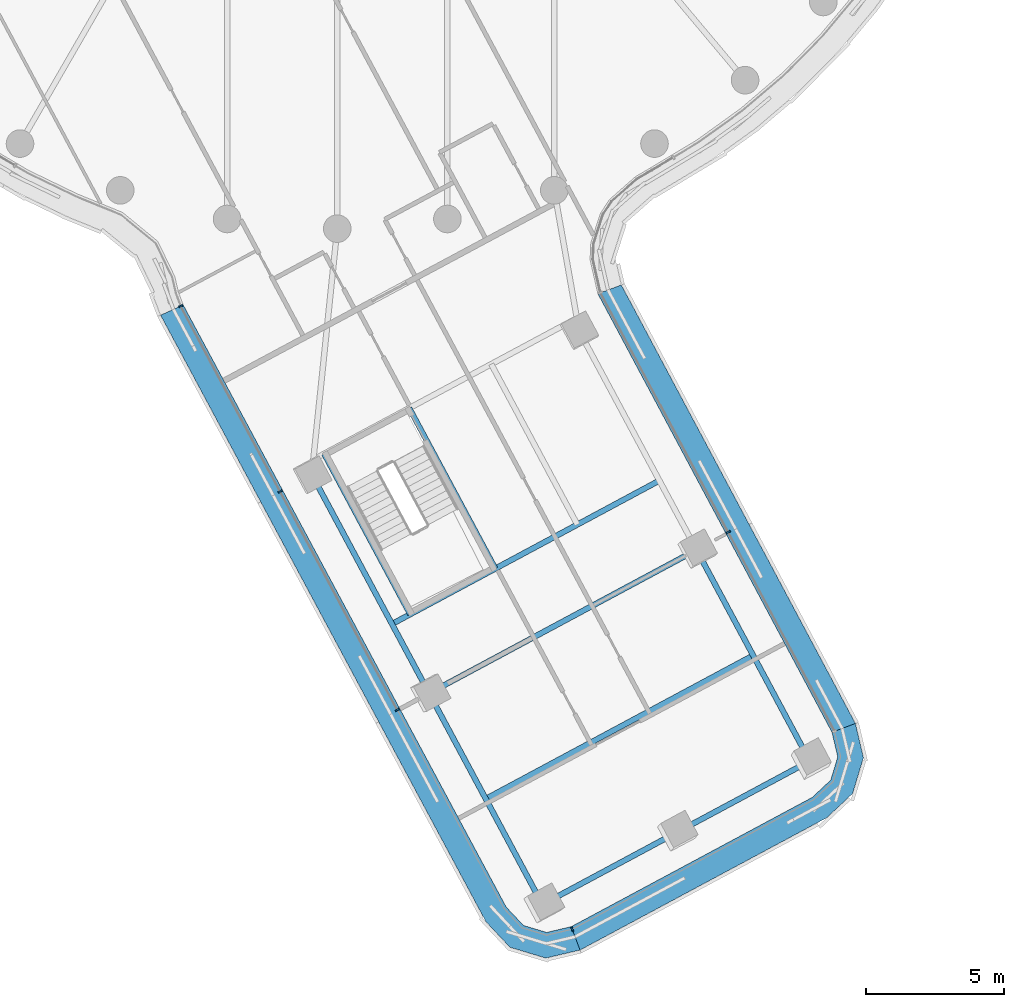
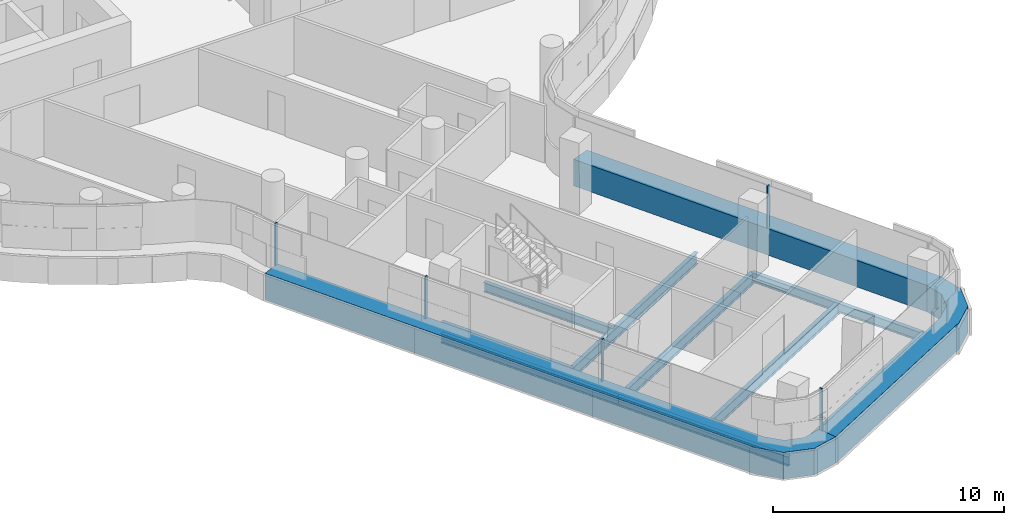
# One storey, part 3 of 33: 10 beams, 8 members, 3 elements without a shape of their own.
"""IFC4 building model written with IfcOpenShell, lengths in metres."""

from ifc_helpers import new_model, si_unit, direction, frame, origin, origin_2d, place, context, subcontext, project, spatial, polyline, rectangle, i_section, outline, extrude, material, layer, layer_set, material_profile, profile_set, type_object, element, aggregate, save


model = new_model("IFC4")

# Units and contexts
model_context = context("Model", 3, precision=1e-05, world=origin(), true_north=direction((0.0, 1.0)))
body_context = subcontext(model_context, "Body", "Model", "MODEL_VIEW")
ifc_project = project(units=[si_unit("LENGTHUNIT", "METRE"), si_unit("AREAUNIT", "SQUARE_METRE"), si_unit("VOLUMEUNIT", "CUBIC_METRE"), si_unit("PLANEANGLEUNIT", "RADIAN"), si_unit("MASSUNIT", "GRAM", prefix="KILO")], contexts=[model_context])

# Site, building, storey
site_placement = place(None, origin())
site = spatial("IfcSite", under=ifc_project, at=site_placement, CompositionType="ELEMENT")
building_placement = place(site_placement, origin())
building = spatial("IfcBuilding", under=site, at=building_placement, Name="Tamarind Cross Interchange Tower", CompositionType="ELEMENT")
storey_placement = place(building_placement, frame((0.0, 0.0, 136.75)))
storey = spatial("IfcBuildingStorey", under=building, at=storey_placement, Name="L33", CompositionType="ELEMENT", Elevation=136.75)

# Beams
ifc_material_1 = material(Name="Steel Q355B", Category="steel")
ifc_material_profile_1 = material_profile(ifc_material_1, i_section(OverallWidth=0.198974609375, OverallDepth=0.49609375, WebThickness=0.009033203125, FlangeThickness=0.013916015625, FilletRadius=0.012939453125, at=origin_2d()), Name="HN 496x199x9x14")
ifc_profile_set_1 = profile_set([ifc_material_profile_1], Name="Steel Q355B")
beam_type_1 = type_object("IfcBeamType", Name="Composite beam HN 496x199x9x14 Q355B", PredefinedType="BEAM", material=ifc_profile_set_1)
beam_1_placement = place(storey_placement, frame((7.437744140625, -47.501220703125, -0.387939453125), z_axis=(-0.4726798699, 0.881234214379, 0.0), x_axis=(-0.881234214379, -0.4726798699, 0.0)))
element("IfcBeam", 1, at=beam_1_placement, inside=storey, type_object=beam_type_1, Name="Beam S-edgeem5", PredefinedType="BEAM", context=body_context, shape_type="SweptSolid", body=[
    extrude(i_section(OverallWidth=0.198974609375, OverallDepth=0.49609375, WebThickness=0.009033203125, FlangeThickness=0.013916015625, FilletRadius=0.012939453125, at=origin_2d()), origin(), (0.0, 0.0, 1.0), 8.68798828125),
])
beam_2_placement = place(storey_placement, frame((3.3310546875, -39.844970703125, -0.387939453125), z_axis=(-0.472712902777, 0.881216495277, 0.0), x_axis=(-0.881216495277, -0.472712902777, 0.0)))
element("IfcBeam", 2, at=beam_2_placement, inside=storey, type_object=beam_type_1, Name="Beam S-edgeem6", PredefinedType="BEAM", context=body_context, shape_type="SweptSolid", body=[
    extrude(i_section(OverallWidth=0.198974609375, OverallDepth=0.49609375, WebThickness=0.009033203125, FlangeThickness=0.013916015625, FilletRadius=0.012939453125, at=origin_2d()), origin(), (0.0, 0.0, 1.0), 9.0),
])
beam_3_placement = place(storey_placement, frame((17.13134765625, -42.301513671875, -0.387939453125), z_axis=(-0.472701691638, 0.881222509201, 0.0), x_axis=(-0.881222509201, -0.472701691638, 0.0)))
element("IfcBeam", 3, at=beam_3_placement, inside=storey, type_object=beam_type_1, Name="Beam S-edgeep2", PredefinedType="BEAM", context=body_context, shape_type="SweptSolid", body=[
    extrude(i_section(OverallWidth=0.198974609375, OverallDepth=0.49609375, WebThickness=0.009033203125, FlangeThickness=0.013916015625, FilletRadius=0.012939453125, at=origin_2d()), origin(), (0.0, 0.0, 1.0), 8.688232421875),
])
beam_4_placement = place(storey_placement, frame((-0.47509765625, -31.162841796875, -0.387939453125), z_axis=(0.472700715207, -0.881223032974, 0.0), x_axis=(0.881223032974, 0.472700715207, 0.0)))
element("IfcBeam", 4, at=beam_4_placement, inside=storey, type_object=beam_type_1, Name="Beam S-tr0", PredefinedType="BEAM", context=body_context, shape_type="SweptSolid", body=[
    extrude(i_section(OverallWidth=0.198974609375, OverallDepth=0.49609375, WebThickness=0.009033203125, FlangeThickness=0.013916015625, FilletRadius=0.012939453125, at=origin_2d()), origin(), (0.0, 0.0, 1.0), 6.60009765625),
])
beam_5_placement = place(storey_placement, frame((2.609130859375, -29.508544921875, -0.387939453125), z_axis=(0.472716124177, -0.881214767207, 0.0), x_axis=(0.881214767207, 0.472716124177, 0.0)))
element("IfcBeam", 5, at=beam_5_placement, inside=storey, type_object=beam_type_1, Name="Beam S-tr1", PredefinedType="BEAM", context=body_context, shape_type="SweptSolid", body=[
    extrude(i_section(OverallWidth=0.198974609375, OverallDepth=0.49609375, WebThickness=0.009033203125, FlangeThickness=0.013916015625, FilletRadius=0.012939453125, at=origin_2d()), origin(), (0.0, 0.0, 1.0), 6.599853515625),
])
ifc_material_profile_2 = material_profile(ifc_material_1, i_section(OverallWidth=0.199951171875, OverallDepth=0.60009765625, WebThickness=0.010986328125, FlangeThickness=0.01708984375, FilletRadius=0.012939453125, at=origin_2d()), Name="HN 600x200x11x17")
ifc_profile_set_2 = profile_set([ifc_material_profile_2], Name="Steel Q355B")
beam_type_2 = type_object("IfcBeamType", Name="Composite beam HN 600x200x11x17 Q355B", PredefinedType="BEAM", material=ifc_profile_set_2)
beam_6_placement = place(storey_placement, frame((7.437744140625, -47.501220703125, -0.43994140625), z_axis=(0.881221155414, 0.472704215394, 0.0), x_axis=(-0.472704215394, 0.881221155414, 0.0)))
element("IfcBeam", 6, at=beam_6_placement, inside=storey, type_object=beam_type_2, Name="Beam S-tip0", PredefinedType="BEAM", context=body_context, shape_type="SweptSolid", body=[
    extrude(i_section(OverallWidth=0.199951171875, OverallDepth=0.60009765625, WebThickness=0.010986328125, FlangeThickness=0.01708984375, FilletRadius=0.012939453125, at=origin_2d()), origin(), (0.0, 0.0, 1.0), 5.5),
])
beam_7_placement = place(storey_placement, frame((12.284423828125, -44.9013671875, -0.43994140625), z_axis=(0.881231073642, 0.472685725241, 0.0), x_axis=(-0.472685725241, 0.881231073642, 0.0)))
element("IfcBeam", 7, at=beam_7_placement, inside=storey, type_object=beam_type_2, Name="Beam S-tip1", PredefinedType="BEAM", context=body_context, shape_type="SweptSolid", body=[
    extrude(i_section(OverallWidth=0.199951171875, OverallDepth=0.60009765625, WebThickness=0.010986328125, FlangeThickness=0.01708984375, FilletRadius=0.012939453125, at=origin_2d()), origin(), (0.0, 0.0, 1.0), 5.500244140625),
])
beam_8_placement = place(storey_placement, frame((1.983642578125, -37.33349609375, -0.43994140625), z_axis=(0.881226114674, 0.472694970163, 0.0), x_axis=(-0.472694970163, 0.881226114674, 0.0)))
element("IfcBeam", 8, at=beam_8_placement, inside=storey, type_object=beam_type_2, Name="Beam S-x364", PredefinedType="BEAM", context=body_context, shape_type="SweptSolid", body=[
    extrude(i_section(OverallWidth=0.199951171875, OverallDepth=0.60009765625, WebThickness=0.010986328125, FlangeThickness=0.01708984375, FilletRadius=0.012939453125, at=origin_2d()), origin(), (0.0, 0.0, 1.0), 11.000244140625),
])
beam_9_placement = place(storey_placement, frame((3.3310546875, -39.844970703125, -0.43994140625), z_axis=(0.881221155414, 0.472704215394, 0.0), x_axis=(-0.472704215394, 0.881221155414, 0.0)))
element("IfcBeam", 9, at=beam_9_placement, inside=storey, type_object=beam_type_2, Name="Beam S-x393", PredefinedType="BEAM", context=body_context, shape_type="SweptSolid", body=[
    extrude(i_section(OverallWidth=0.199951171875, OverallDepth=0.60009765625, WebThickness=0.010986328125, FlangeThickness=0.01708984375, FilletRadius=0.012939453125, at=origin_2d()), origin(), (0.0, 0.0, 1.0), 11.0),
])
beam_10_placement = place(storey_placement, frame((5.38427734375, -43.673095703125, -0.43994140625), z_axis=(0.881226114674, 0.472694970163, 0.0), x_axis=(-0.472694970163, 0.881226114674, 0.0)))
element("IfcBeam", 10, at=beam_10_placement, inside=storey, type_object=beam_type_2, Name="Beam S-x436", PredefinedType="BEAM", context=body_context, shape_type="SweptSolid", body=[
    extrude(i_section(OverallWidth=0.199951171875, OverallDepth=0.60009765625, WebThickness=0.010986328125, FlangeThickness=0.01708984375, FilletRadius=0.012939453125, at=origin_2d()), origin(), (0.0, 0.0, 1.0), 11.000244140625),
])

# Curtain wall, member
ifc_material_2 = material(Name="Aluminium 6063-T6", Category="aluminium")
ifc_layer = layer(ifc_material_2, 0.159912109375)
ifc_layer_set = layer_set([ifc_layer], Name="Aluminium 6063-T6")
curtain_wall_type = type_object("IfcCurtainWallType", Name="Office curtain wall, 9.0 m bays", PredefinedType="NOTDEFINED", material=ifc_layer_set)
curtain_wall_1_placement = place(storey_placement, origin())
curtain_wall_1 = element("IfcCurtainWall", 11, at=curtain_wall_1_placement, inside=storey, type_object=curtain_wall_type, Name="CWS-L33-07", PredefinedType="NOTDEFINED")
ifc_material_3 = material(Name="Aluminium and insulated spandrel panel", Category="aluminium")
member_type_1 = type_object("IfcMemberType", Name="Floor-edge blade transom", PredefinedType="USERDEFINED", material=ifc_material_3)
member_1_placement = place(storey_placement, origin())
member_1 = element("IfcMember", 12, at=member_1_placement, type_object=member_type_1, Name="CWT-L33-07", ObjectType="TRANSOM", PredefinedType="USERDEFINED", context=body_context, shape_type="SweptSolid", body=[
    extrude(outline(polyline([(-5.583740234375, -25.764404296875), (6.125244140625, -47.593017578125), (6.751953125, -48.26025390625), (7.58935546875, -48.5126953125), (8.48046875, -48.303466796875), (8.801513671875, -49.152587890625), (7.56005859375, -49.444091796875), (6.26123046875, -49.052001953125), (5.38818359375, -48.122802734375), (-6.40478515625, -26.137939453125), (-5.583740234375, -25.764404296875)])), origin(), (0.0, 0.0, 1.0), 1.39990234375),
])

curtain_wall_2_placement = place(storey_placement, origin())
curtain_wall_2 = element("IfcCurtainWall", 13, at=curtain_wall_2_placement, inside=storey, type_object=curtain_wall_type, Name="CWS-L33-08", PredefinedType="NOTDEFINED")
member_2_placement = place(storey_placement, origin())
member_2 = element("IfcMember", 14, at=member_2_placement, type_object=member_type_1, Name="CWT-L33-08", ObjectType="TRANSOM", PredefinedType="USERDEFINED", context=body_context, shape_type="SweptSolid", body=[
    extrude(outline(polyline([(8.48046875, -48.303466796875), (17.22314453125, -43.614013671875), (17.89013671875, -42.9873046875), (18.142822265625, -42.14990234375), (17.93359375, -41.258544921875), (18.782958984375, -40.9384765625), (19.07421875, -42.178955078125), (18.68212890625, -43.47802734375), (17.7529296875, -44.35107421875), (8.801513671875, -49.152587890625), (8.48046875, -48.303466796875)])), origin(), (0.0, 0.0, 1.0), 1.39990234375),
])

curtain_wall_3_placement = place(storey_placement, origin())
curtain_wall_3 = element("IfcCurtainWall", 15, at=curtain_wall_3_placement, inside=storey, type_object=curtain_wall_type, Name="CWS-L33-09", PredefinedType="NOTDEFINED")
member_3_placement = place(storey_placement, origin())
member_3 = element("IfcMember", 16, at=member_3_placement, type_object=member_type_1, Name="CWT-L33-09", ObjectType="TRANSOM", PredefinedType="USERDEFINED", context=body_context, shape_type="SweptSolid", body=[
    extrude(outline(polyline([(17.93359375, -41.258544921875), (9.446044921875, -25.3603515625), (10.296875, -25.04296875), (18.782958984375, -40.9384765625), (17.93359375, -41.258544921875)])), origin(), (0.0, 0.0, 1.0), 1.39990234375),
])

# Member
ifc_material_profile_3 = material_profile(ifc_material_2, rectangle(XDim=0.06005859375, YDim=0.159912109375, at=origin_2d()), Name="Mullion CW1")
ifc_profile_set_3 = profile_set([ifc_material_profile_3], Name="Aluminium 6063-T6")
member_type_2 = type_object("IfcMemberType", Name="Mullion CW1", PredefinedType="MULLION", material=ifc_profile_set_3)
member_4_placement = place(storey_placement, frame((-5.675048828125, -25.805908203125, 1.39990234375), z_axis=(0.0, 0.0, 1.0), x_axis=(0.414051514082, -0.910253450247, 0.0)))
member_4 = element("IfcMember", 17, at=member_4_placement, type_object=member_type_2, Name="CWM-L33-07-00", PredefinedType="MULLION", context=body_context, shape_type="SweptSolid", body=[
    extrude(rectangle(XDim=0.06005859375, YDim=0.159912109375, at=origin_2d()), origin(), (0.0, 0.0, 1.0), 2.210205078125),
])

member_5_placement = place(storey_placement, frame((-2.068359375, -32.529541015625, 1.39990234375), z_axis=(0.0, 0.0, 1.0), x_axis=(0.472698422046, -0.881224263054, 0.0)))
member_5 = element("IfcMember", 18, at=member_5_placement, type_object=member_type_2, Name="CWM-L33-07-01", PredefinedType="MULLION", context=body_context, shape_type="SweptSolid", body=[
    extrude(rectangle(XDim=0.06005859375, YDim=0.159912109375, at=origin_2d()), origin(), (0.0, 0.0, 1.0), 2.210205078125),
])

member_6_placement = place(storey_placement, frame((2.17919921875, -40.44775390625, 1.39990234375), z_axis=(0.0, 0.0, 1.0), x_axis=(0.472698422046, -0.881224263054, 0.0)))
member_6 = element("IfcMember", 19, at=member_6_placement, type_object=member_type_2, Name="CWM-L33-07-02", PredefinedType="MULLION", context=body_context, shape_type="SweptSolid", body=[
    extrude(rectangle(XDim=0.06005859375, YDim=0.159912109375, at=origin_2d()), origin(), (0.0, 0.0, 1.0), 2.210205078125),
])

aggregate(curtain_wall_1, [member_4, member_5, member_6, member_1])

member_7_placement = place(storey_placement, frame((8.51611328125, -48.39794921875, 1.39990234375), z_axis=(0.0, 0.0, 1.0), x_axis=(0.935384792421, 0.353631573969, 0.0)))
member_7 = element("IfcMember", 20, at=member_7_placement, type_object=member_type_2, Name="CWM-L33-08-00", PredefinedType="MULLION", context=body_context, shape_type="SweptSolid", body=[
    extrude(rectangle(XDim=0.06005859375, YDim=0.159912109375, at=origin_2d()), origin(), (0.0, 0.0, 1.0), 2.210205078125),
])

aggregate(curtain_wall_2, [member_7, member_2])

member_8_placement = place(storey_placement, frame((14.171630859375, -33.99951171875, 1.39990234375), z_axis=(0.0, 0.0, 1.0), x_axis=(-0.47095879505, 0.88215520934, 0.0)))
member_8 = element("IfcMember", 21, at=member_8_placement, type_object=member_type_2, Name="CWM-L33-09-01", PredefinedType="MULLION", context=body_context, shape_type="SweptSolid", body=[
    extrude(rectangle(XDim=0.06005859375, YDim=0.159912109375, at=origin_2d()), origin(), (0.0, 0.0, 1.0), 2.210205078125),
])

aggregate(curtain_wall_3, [member_8, member_3])

save(model, "model.ifc")
